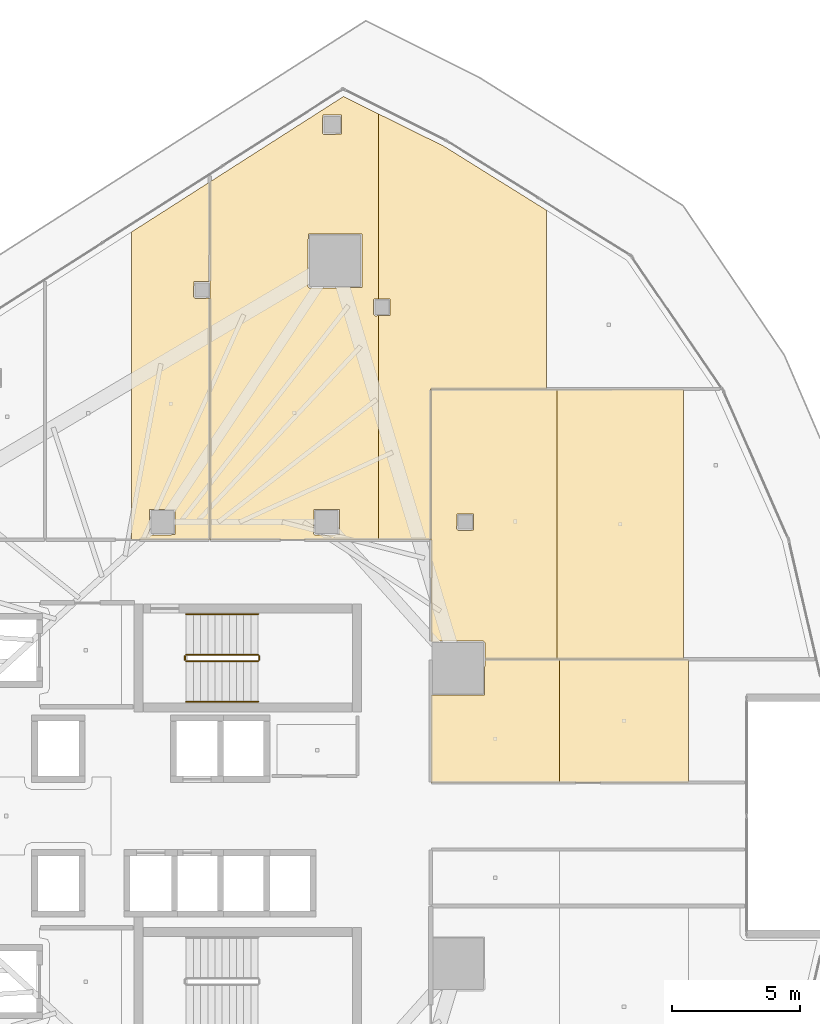
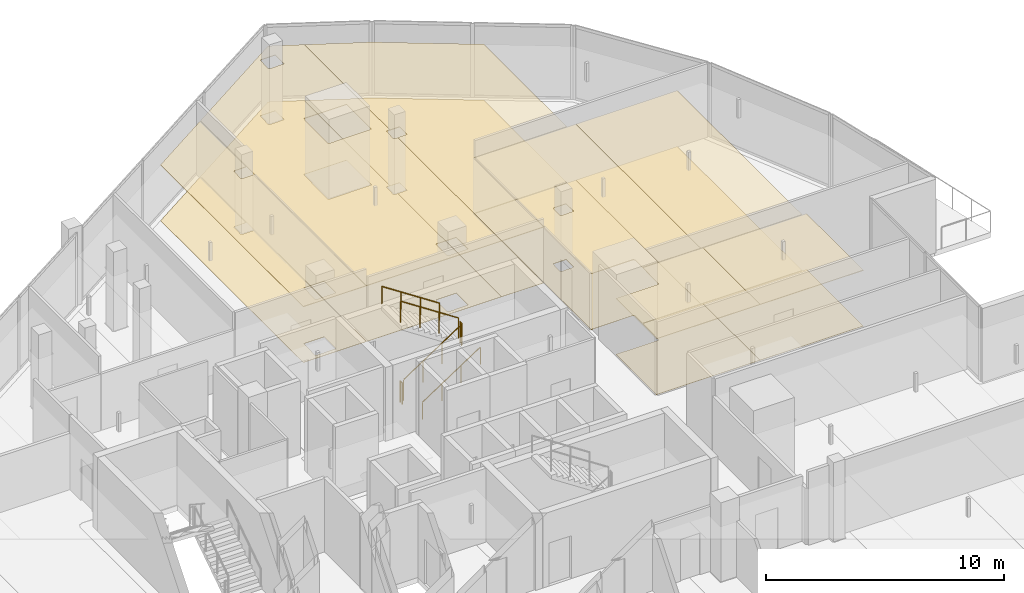
# One storey, part 36 of 37: 14 coverings, 6 railings.
"""IFC4 building model written with IfcOpenShell, lengths in metres."""

from ifc_helpers import new_model, si_unit, direction, frame, origin, origin_2d, place, context, subcontext, project, spatial, polyline, circle, outline, extrude, material, layer, layer_set, type_object, element, save


model = new_model("IFC4")

# Units and contexts
model_context = context("Model", 3, precision=1e-05, world=origin(), true_north=direction((0.0, 1.0)))
body_context = subcontext(model_context, "Body", "Model", "MODEL_VIEW")
ifc_project = project(units=[si_unit("LENGTHUNIT", "METRE"), si_unit("AREAUNIT", "SQUARE_METRE"), si_unit("VOLUMEUNIT", "CUBIC_METRE"), si_unit("PLANEANGLEUNIT", "RADIAN"), si_unit("MASSUNIT", "GRAM", prefix="KILO")], contexts=[model_context])

# Site, building, storey
site_placement = place(None, origin())
site = spatial("IfcSite", under=ifc_project, at=site_placement, CompositionType="ELEMENT")
building_placement = place(site_placement, origin())
building = spatial("IfcBuilding", under=site, at=building_placement, Name="Qorvath Tower", CompositionType="ELEMENT")
storey_placement = place(building_placement, frame((0.0, 0.0, 184.800048828125)))
storey = spatial("IfcBuildingStorey", under=building, at=storey_placement, Name="L42", CompositionType="ELEMENT", Elevation=184.800048828125)

# Coverings
ifc_material_1 = material(Name="Acoustic mineral fibre ceiling tile", Category="gypsum")
ifc_layer_1 = layer(ifc_material_1, 0.030029296875)
ifc_layer_set_1 = layer_set([ifc_layer_1], Name="COV-CEIL")
covering_type_1 = type_object("IfcCoveringType", Name="COV-CEIL", PredefinedType="CEILING", material=ifc_layer_set_1)
covering_1_placement = place(storey_placement, frame((0.0, 0.0, 2.849853515625)))
element("IfcCovering", 1, at=covering_1_placement, inside=storey, type_object=covering_type_1, Name="L42 Suspended Acoustic Ceiling 012", PredefinedType="CEILING", context=body_context, shape_type="SweptSolid", body=[
    extrude(outline(polyline([(-21.7783203125, 20.829833984375), (-21.754638671875, 24.694580078125), (-24.804443359375, 22.745361328125), (-24.804443359375, 10.762939453125), (-21.754638671875, 10.762939453125), (-21.754638671875, 20.169677734375), (-22.328125, 20.159912109375), (-22.38818359375, 20.219970703125), (-22.37060546875, 20.812255859375), (-21.7783203125, 20.829833984375)]), holes=[polyline([(-24.110107421875, 11.0), (-24.092529296875, 11.9423828125), (-23.107666015625, 11.9423828125), (-23.107666015625, 10.95751953125), (-24.050048828125, 10.93994140625), (-24.110107421875, 11.0)])]), origin(), (0.0, 0.0, 1.0), 0.030029296875),
])
covering_2_placement = place(storey_placement, frame((0.0, 0.0, 2.849853515625)))
element("IfcCovering", 2, at=covering_2_placement, inside=storey, type_object=covering_type_1, Name="L42 Suspended Acoustic Ceiling 013", PredefinedType="CEILING", context=body_context, shape_type="SweptSolid", body=[
    extrude(outline(polyline([(-21.736572265625, 10.762939453125), (-15.188232421875, 10.762939453125), (-15.188232421875, 19.487060546875), (-15.321044921875, 19.483154296875), (-15.381103515625, 19.543212890625), (-15.363525390625, 20.135498046875), (-15.188232421875, 20.135498046875), (-15.188232421875, 27.3525390625), (-16.5458984375, 28.023681640625), (-21.736572265625, 24.7060546875), (-21.736572265625, 10.762939453125)]), holes=[polyline([(-17.931640625, 20.627197265625), (-17.9140625, 22.66943359375), (-15.829345703125, 22.66943359375), (-15.829345703125, 20.584716796875), (-17.87158203125, 20.567138671875), (-17.931640625, 20.627197265625)]), polyline([(-17.3662109375, 26.604248046875), (-17.3486328125, 27.296630859375), (-16.61376953125, 27.296630859375), (-16.61376953125, 26.561767578125), (-17.30615234375, 26.544189453125), (-17.3662109375, 26.604248046875)]), polyline([(-17.7099609375, 11.0), (-17.6923828125, 11.9423828125), (-16.70751953125, 11.9423828125), (-16.70751953125, 10.95751953125), (-17.64990234375, 10.93994140625), (-17.7099609375, 11.0)])]), origin(), (0.0, 0.0, 1.0), 0.030029296875),
])
covering_3_placement = place(storey_placement, frame((0.0, 0.0, 2.849853515625)))
element("IfcCovering", 3, at=covering_3_placement, inside=storey, type_object=covering_type_1, Name="L42 Suspended Acoustic Ceiling 014", PredefinedType="CEILING", context=body_context, shape_type="SweptSolid", body=[
    extrude(outline(polyline([(-15.188232421875, 27.3525390625), (-15.188232421875, 20.135498046875), (-14.728759765625, 20.135498046875), (-14.728759765625, 19.500732421875), (-15.188232421875, 19.487060546875), (-15.188232421875, 10.762939453125), (-13.155029296875, 10.762939453125), (-13.14990234375, 16.6259765625), (-8.6396484375, 16.629638671875), (-8.6396484375, 23.598876953125), (-12.630126953125, 26.088134765625), (-15.188232421875, 27.3525390625)])), origin(), (0.0, 0.0, 1.0), 0.030029296875),
])
covering_4_placement = place(storey_placement, frame((0.0, 0.0, 2.849853515625)))
element("IfcCovering", 4, at=covering_4_placement, inside=storey, type_object=covering_type_1, Name="L42 Suspended Acoustic Ceiling 030", PredefinedType="CEILING", context=body_context, shape_type="SweptSolid", body=[
    extrude(outline(polyline([(-8.1220703125, 1.31298828125), (-8.1220703125, 6.103759765625), (-11.036865234375, 6.103759765625), (-11.054443359375, 4.715576171875), (-13.136962890625, 4.714599609375), (-13.136962890625, 1.31298828125), (-8.1220703125, 1.31298828125)])), origin(), (0.0, 0.0, 1.0), 0.030029296875),
])
covering_5_placement = place(storey_placement, frame((0.0, 0.0, 2.849853515625)))
element("IfcCovering", 5, at=covering_5_placement, inside=storey, type_object=covering_type_1, Name="L42 Suspended Acoustic Ceiling 032", PredefinedType="CEILING", context=body_context, shape_type="SweptSolid", body=[
    extrude(outline(polyline([(-3.10693359375, 1.31298828125), (-3.10693359375, 6.103759765625), (-8.1220703125, 6.103759765625), (-8.1220703125, 1.31298828125), (-3.10693359375, 1.31298828125)])), origin(), (0.0, 0.0, 1.0), 0.030029296875),
])
covering_6_placement = place(storey_placement, frame((0.0, 0.0, 2.849853515625)))
element("IfcCovering", 6, at=covering_6_placement, inside=storey, type_object=covering_type_1, Name="L42 Suspended Acoustic Ceiling 033", PredefinedType="CEILING", context=body_context, shape_type="SweptSolid", body=[
    extrude(outline(polyline([(-11.036865234375, 6.121826171875), (-8.219970703125, 6.121826171875), (-8.219970703125, 16.61181640625), (-13.136962890625, 16.60791015625), (-13.129638671875, 6.804443359375), (-11.0966796875, 6.81787109375), (-11.036865234375, 6.7578125), (-11.036865234375, 6.121826171875)]), holes=[polyline([(-12.135009765625, 11.175048828125), (-12.117431640625, 11.767333984375), (-11.482666015625, 11.767333984375), (-11.482666015625, 11.132568359375), (-12.074951171875, 11.114990234375), (-12.135009765625, 11.175048828125)])]), origin(), (0.0, 0.0, 1.0), 0.030029296875),
])
covering_7_placement = place(storey_placement, frame((0.0, 0.0, 2.849853515625)))
element("IfcCovering", 7, at=covering_7_placement, inside=storey, type_object=covering_type_1, Name="L42 Suspended Acoustic Ceiling 034", PredefinedType="CEILING", context=body_context, shape_type="SweptSolid", body=[
    extrude(outline(polyline([(-8.219970703125, 16.61181640625), (-8.219970703125, 6.121826171875), (-3.302978515625, 6.121826171875), (-3.302978515625, 16.615966796875), (-8.219970703125, 16.61181640625)])), origin(), (0.0, 0.0, 1.0), 0.030029296875),
])
ifc_material_2 = material(Name="Low-VOC modular carpet tile", Category="textile")
ifc_layer_2 = layer(ifc_material_2, 0.014892578125)
ifc_layer_set_2 = layer_set([ifc_layer_2], Name="COV-FLOOR-CPT")
covering_type_2 = type_object("IfcCoveringType", Name="COV-FLOOR-CPT", PredefinedType="FLOORING", material=ifc_layer_set_2)
covering_8_placement = place(storey_placement, origin())
element("IfcCovering", 8, at=covering_8_placement, inside=storey, type_object=covering_type_2, Name="L42 Floor Finish 012", PredefinedType="FLOORING", context=body_context, shape_type="SweptSolid", body=[
    extrude(outline(polyline([(-21.7783203125, 20.829833984375), (-21.754638671875, 24.694580078125), (-24.804443359375, 22.745361328125), (-24.804443359375, 10.762939453125), (-21.754638671875, 10.762939453125), (-21.754638671875, 20.169677734375), (-22.328125, 20.159912109375), (-22.38818359375, 20.219970703125), (-22.37060546875, 20.812255859375), (-21.7783203125, 20.829833984375)]), holes=[polyline([(-24.110107421875, 11.0), (-24.092529296875, 11.9423828125), (-23.107666015625, 11.9423828125), (-23.107666015625, 10.95751953125), (-24.050048828125, 10.93994140625), (-24.110107421875, 11.0)])]), origin(), (0.0, 0.0, 1.0), 0.014892578125),
])
covering_9_placement = place(storey_placement, origin())
element("IfcCovering", 9, at=covering_9_placement, inside=storey, type_object=covering_type_2, Name="L42 Floor Finish 013", PredefinedType="FLOORING", context=body_context, shape_type="SweptSolid", body=[
    extrude(outline(polyline([(-21.736572265625, 10.762939453125), (-15.188232421875, 10.762939453125), (-15.188232421875, 19.487060546875), (-15.321044921875, 19.483154296875), (-15.381103515625, 19.543212890625), (-15.363525390625, 20.135498046875), (-15.188232421875, 20.135498046875), (-15.188232421875, 27.3525390625), (-16.5458984375, 28.023681640625), (-21.736572265625, 24.7060546875), (-21.736572265625, 10.762939453125)]), holes=[polyline([(-17.931640625, 20.627197265625), (-17.9140625, 22.66943359375), (-15.829345703125, 22.66943359375), (-15.829345703125, 20.584716796875), (-17.87158203125, 20.567138671875), (-17.931640625, 20.627197265625)]), polyline([(-17.3662109375, 26.604248046875), (-17.3486328125, 27.296630859375), (-16.61376953125, 27.296630859375), (-16.61376953125, 26.561767578125), (-17.30615234375, 26.544189453125), (-17.3662109375, 26.604248046875)]), polyline([(-17.7099609375, 11.0), (-17.6923828125, 11.9423828125), (-16.70751953125, 11.9423828125), (-16.70751953125, 10.95751953125), (-17.64990234375, 10.93994140625), (-17.7099609375, 11.0)])]), origin(), (0.0, 0.0, 1.0), 0.014892578125),
])
covering_10_placement = place(storey_placement, origin())
element("IfcCovering", 10, at=covering_10_placement, inside=storey, type_object=covering_type_2, Name="L42 Floor Finish 014", PredefinedType="FLOORING", context=body_context, shape_type="SweptSolid", body=[
    extrude(outline(polyline([(-15.188232421875, 27.3525390625), (-15.188232421875, 20.135498046875), (-14.728759765625, 20.135498046875), (-14.728759765625, 19.500732421875), (-15.188232421875, 19.487060546875), (-15.188232421875, 10.762939453125), (-13.155029296875, 10.762939453125), (-13.14990234375, 16.6259765625), (-8.6396484375, 16.629638671875), (-8.6396484375, 23.598876953125), (-12.630126953125, 26.088134765625), (-15.188232421875, 27.3525390625)])), origin(), (0.0, 0.0, 1.0), 0.014892578125),
])
covering_11_placement = place(storey_placement, origin())
element("IfcCovering", 11, at=covering_11_placement, inside=storey, type_object=covering_type_2, Name="L42 Floor Finish 030", PredefinedType="FLOORING", context=body_context, shape_type="SweptSolid", body=[
    extrude(outline(polyline([(-8.1220703125, 1.31298828125), (-8.1220703125, 6.103759765625), (-11.036865234375, 6.103759765625), (-11.054443359375, 4.715576171875), (-13.136962890625, 4.714599609375), (-13.136962890625, 1.31298828125), (-8.1220703125, 1.31298828125)])), origin(), (0.0, 0.0, 1.0), 0.014892578125),
])
covering_12_placement = place(storey_placement, origin())
element("IfcCovering", 12, at=covering_12_placement, inside=storey, type_object=covering_type_2, Name="L42 Floor Finish 032", PredefinedType="FLOORING", context=body_context, shape_type="SweptSolid", body=[
    extrude(outline(polyline([(-3.10693359375, 1.31298828125), (-3.10693359375, 6.103759765625), (-8.1220703125, 6.103759765625), (-8.1220703125, 1.31298828125), (-3.10693359375, 1.31298828125)])), origin(), (0.0, 0.0, 1.0), 0.014892578125),
])
covering_13_placement = place(storey_placement, origin())
element("IfcCovering", 13, at=covering_13_placement, inside=storey, type_object=covering_type_2, Name="L42 Floor Finish 033", PredefinedType="FLOORING", context=body_context, shape_type="SweptSolid", body=[
    extrude(outline(polyline([(-11.036865234375, 6.121826171875), (-8.219970703125, 6.121826171875), (-8.219970703125, 16.61181640625), (-13.136962890625, 16.60791015625), (-13.129638671875, 6.804443359375), (-11.0966796875, 6.81787109375), (-11.036865234375, 6.7578125), (-11.036865234375, 6.121826171875)]), holes=[polyline([(-12.135009765625, 11.175048828125), (-12.117431640625, 11.767333984375), (-11.482666015625, 11.767333984375), (-11.482666015625, 11.132568359375), (-12.074951171875, 11.114990234375), (-12.135009765625, 11.175048828125)])]), origin(), (0.0, 0.0, 1.0), 0.014892578125),
])
covering_14_placement = place(storey_placement, origin())
element("IfcCovering", 14, at=covering_14_placement, inside=storey, type_object=covering_type_2, Name="L42 Floor Finish 034", PredefinedType="FLOORING", context=body_context, shape_type="SweptSolid", body=[
    extrude(outline(polyline([(-8.219970703125, 16.61181640625), (-8.219970703125, 6.121826171875), (-3.302978515625, 6.121826171875), (-3.302978515625, 16.615966796875), (-8.219970703125, 16.61181640625)])), origin(), (0.0, 0.0, 1.0), 0.014892578125),
])

# Railings
ifc_material_3 = material(Name="Painted galvanised steel", Category="steel")
railing_type_1 = type_object("IfcRailingType", Name="RL-STR-GRD", PredefinedType="GUARDRAIL", material=ifc_material_3)
railing_1_placement = place(storey_placement, frame((-22.669921875, 6.030029296875, 0.18408203125)))
element("IfcRailing", 15, at=railing_1_placement, inside=storey, type_object=railing_type_1, Name="L42 TS1 stair guard 1", PredefinedType="GUARDRAIL", context=body_context, shape_type="SweptSolid", body=[
    extrude(circle(Radius=0.02392578125, at=origin_2d()), frame((0.0, 0.0, 1.076171875), z_axis=(0.835575518608, 0.0, 0.549375602573), x_axis=(0.0, 1.0, 0.0)), (0.0, 0.0, 1.0), 3.350830078125),
    extrude(circle(Radius=0.02099609375, at=origin_2d()), origin(), (0.0, 0.0, 1.0), 1.052001953125),
    extrude(circle(Radius=0.02099609375, at=origin_2d()), frame((0.933349609375, 0.0, 0.613525390625)), (0.0, 0.0, 1.0), 1.052001953125),
    extrude(circle(Radius=0.02099609375, at=origin_2d()), frame((1.866455078125, 0.0, 1.227294921875)), (0.0, 0.0, 1.0), 1.052001953125),
    extrude(circle(Radius=0.02099609375, at=origin_2d()), frame((2.7998046875, 0.0, 1.8408203125)), (0.0, 0.0, 1.0), 1.052001953125),
])
railing_2_placement = place(storey_placement, frame((-19.820068359375, 6.080078125, 2.02490234375)))
element("IfcRailing", 16, at=railing_2_placement, inside=storey, type_object=railing_type_1, Name="L42 TS1 stair guard 2", PredefinedType="GUARDRAIL", context=body_context, shape_type="SweptSolid", body=[
    extrude(circle(Radius=0.02392578125, at=origin_2d()), frame((0.0, 0.0, 1.076171875), z_axis=(0.0, 1.0, 0.0), x_axis=(-1.0, 0.0, 0.0)), (0.0, 0.0, 1.0), 0.14990234375),
    extrude(circle(Radius=0.02099609375, at=origin_2d()), origin(), (0.0, 0.0, 1.0), 1.052001953125),
    extrude(circle(Radius=0.02099609375, at=origin_2d()), frame((0.0, 0.14990234375, 0.0)), (0.0, 0.0, 1.0), 1.052001953125),
])
railing_3_placement = place(storey_placement, frame((-19.8701171875, 6.280029296875, 2.208984375)))
element("IfcRailing", 17, at=railing_3_placement, inside=storey, type_object=railing_type_1, Name="L42 TS1 stair guard 3", PredefinedType="GUARDRAIL", context=body_context, shape_type="SweptSolid", body=[
    extrude(circle(Radius=0.02392578125, at=origin_2d()), frame((0.0, 0.0, 1.076171875), z_axis=(-0.835542071712, 0.0, 0.549426470421), x_axis=(0.0, -1.0, 0.0)), (0.0, 0.0, 1.0), 3.350830078125),
    extrude(circle(Radius=0.02099609375, at=origin_2d()), origin(), (0.0, 0.0, 1.0), 1.052001953125),
    extrude(circle(Radius=0.02099609375, at=origin_2d()), frame((-0.933349609375, 0.0, 0.61376953125)), (0.0, 0.0, 1.0), 1.052001953125),
    extrude(circle(Radius=0.02099609375, at=origin_2d()), frame((-1.866455078125, 0.0, 1.227294921875)), (0.0, 0.0, 1.0), 1.052001953125),
    extrude(circle(Radius=0.02099609375, at=origin_2d()), frame((-2.7998046875, 0.0, 1.841064453125)), (0.0, 0.0, 1.0), 1.052001953125),
])
railing_4_placement = place(storey_placement, frame((-22.719970703125, 6.080078125, 0.0)))
element("IfcRailing", 18, at=railing_4_placement, inside=storey, type_object=railing_type_1, Name="L42 TS1 stair guard 4", PredefinedType="GUARDRAIL", context=body_context, shape_type="SweptSolid", body=[
    extrude(circle(Radius=0.02392578125, at=origin_2d()), frame((0.0, 0.0, 1.076171875), z_axis=(0.0, 1.0, 0.0), x_axis=(-1.0, 0.0, 0.0)), (0.0, 0.0, 1.0), 0.14990234375),
    extrude(circle(Radius=0.02099609375, at=origin_2d()), origin(), (0.0, 0.0, 1.0), 1.052001953125),
    extrude(circle(Radius=0.02099609375, at=origin_2d()), frame((0.0, 0.14990234375, 0.0)), (0.0, 0.0, 1.0), 1.052001953125),
])
ifc_material_4 = material(Name="Brushed stainless steel AISI 304", Category="steel")
railing_type_2 = type_object("IfcRailingType", Name="RL-STR-HND", PredefinedType="HANDRAIL", material=ifc_material_4)
railing_5_placement = place(storey_placement, frame((-22.669921875, 4.449951171875, 0.18408203125)))
element("IfcRailing", 19, at=railing_5_placement, inside=storey, type_object=railing_type_2, Name="L42 TS1 stair handrail 1", PredefinedType="HANDRAIL", context=body_context, shape_type="SweptSolid", body=[
    extrude(circle(Radius=0.02392578125, at=origin_2d()), frame((0.0, 0.0, 0.8759765625), z_axis=(0.835575518608, 0.0, 0.549375602573), x_axis=(0.0, 1.0, 0.0)), (0.0, 0.0, 1.0), 3.350830078125),
    extrude(circle(Radius=0.02099609375, at=origin_2d()), origin(), (0.0, 0.0, 1.0), 0.851806640625),
    extrude(circle(Radius=0.02099609375, at=origin_2d()), frame((0.933349609375, 0.0, 0.613525390625)), (0.0, 0.0, 1.0), 0.851806640625),
    extrude(circle(Radius=0.02099609375, at=origin_2d()), frame((1.866455078125, 0.0, 1.227294921875)), (0.0, 0.0, 1.0), 0.851806640625),
    extrude(circle(Radius=0.02099609375, at=origin_2d()), frame((2.7998046875, 0.0, 1.8408203125)), (0.0, 0.0, 1.0), 0.851806640625),
])
railing_6_placement = place(storey_placement, frame((-19.8701171875, 7.860107421875, 2.208984375)))
element("IfcRailing", 20, at=railing_6_placement, inside=storey, type_object=railing_type_2, Name="L42 TS1 stair handrail 2", PredefinedType="HANDRAIL", context=body_context, shape_type="SweptSolid", body=[
    extrude(circle(Radius=0.02392578125, at=origin_2d()), frame((0.0, 0.0, 0.8759765625), z_axis=(-0.835542071712, 0.0, 0.549426470421), x_axis=(0.0, -1.0, 0.0)), (0.0, 0.0, 1.0), 3.350830078125),
    extrude(circle(Radius=0.02099609375, at=origin_2d()), origin(), (0.0, 0.0, 1.0), 0.851806640625),
    extrude(circle(Radius=0.02099609375, at=origin_2d()), frame((-0.933349609375, 0.0, 0.61376953125)), (0.0, 0.0, 1.0), 0.851806640625),
    extrude(circle(Radius=0.02099609375, at=origin_2d()), frame((-1.866455078125, 0.0, 1.227294921875)), (0.0, 0.0, 1.0), 0.851806640625),
    extrude(circle(Radius=0.02099609375, at=origin_2d()), frame((-2.7998046875, 0.0, 1.841064453125)), (0.0, 0.0, 1.0), 0.851806640625),
])

save(model, "model.ifc")
